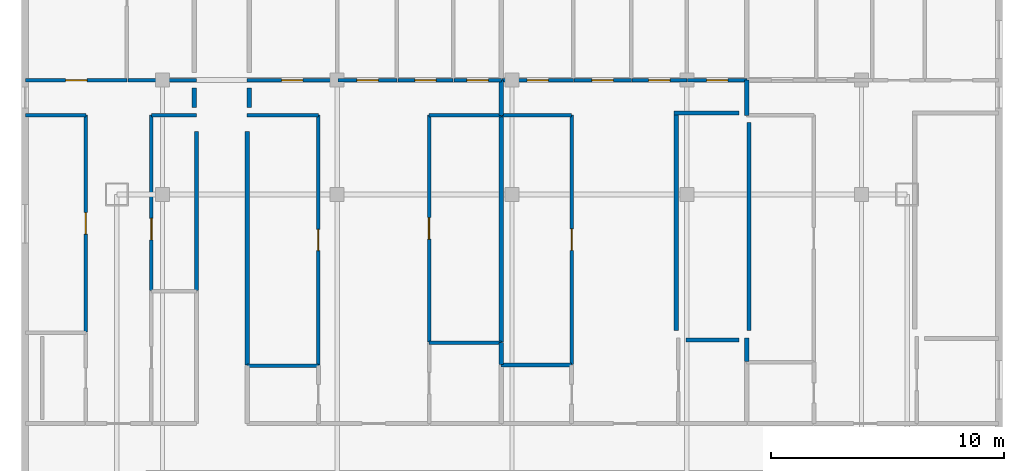
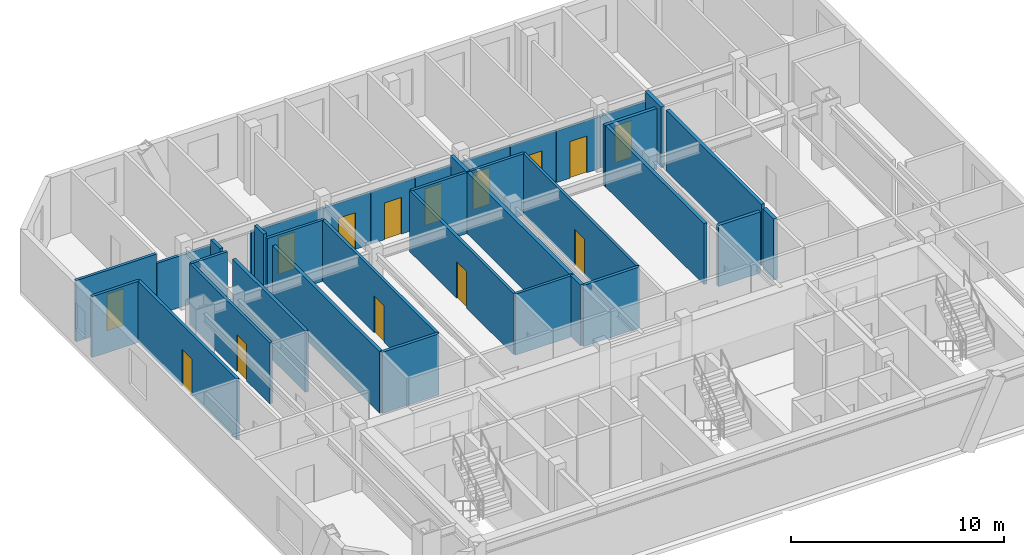
# One storey, part 4 of 7: 36 walls, 14 doors, 14 openings.
"""IFC4 building model written with IfcOpenShell, lengths in metres."""

from ifc_helpers import new_model, si_unit, direction, frame, frame_2d, origin, place, context, subcontext, project, spatial, rectangle, extrude, material, layer, layer_set, type_object, element, fill, save


model = new_model("IFC4")

# Units and contexts
model_context = context("Model", 3, precision=1e-05, world=origin(), true_north=direction((0.0, 1.0)))
body_context = subcontext(model_context, "Body", "Model", "MODEL_VIEW")
ifc_project = project(units=[si_unit("LENGTHUNIT", "METRE"), si_unit("AREAUNIT", "SQUARE_METRE"), si_unit("VOLUMEUNIT", "CUBIC_METRE"), si_unit("PLANEANGLEUNIT", "RADIAN"), si_unit("MASSUNIT", "GRAM", prefix="KILO")], contexts=[model_context])

# Site, building, storey
site_placement = place(None, origin())
site = spatial("IfcSite", under=ifc_project, at=site_placement, CompositionType="ELEMENT")
building_placement = place(site_placement, origin())
building = spatial("IfcBuilding", under=site, at=building_placement, Name="Ventersveld Concourse Tower", CompositionType="ELEMENT")
storey_placement = place(building_placement, frame((0.0, 0.0, 242.64990234375)))
storey = spatial("IfcBuildingStorey", under=building, at=storey_placement, Name="L60", CompositionType="ELEMENT", Elevation=242.64990234375)

# Walls
ifc_material_1 = material(Name="Fire-rated autoclaved aerated masonry blockwork", Category="masonry")
ifc_layer_1 = layer(ifc_material_1, 0.179931640625)
ifc_layer_set_1 = layer_set([ifc_layer_1], Name="Fire-rated autoclaved aerated masonry blockwork")
wall_type_1 = type_object("IfcWallType", Name="WL-CORR-180", PredefinedType="PARTITIONING", material=ifc_layer_set_1)
wall_1_placement = place(storey_placement, frame((15.2099609375, 19.47509765625, 0.0), z_axis=(0.0, 0.0, 1.0), x_axis=(0.0, 1.0, 0.0)))
element("IfcWall", 1, at=wall_1_placement, inside=storey, type_object=wall_type_1, Name="L60 Interior Partition SP-L60-COR-SP-L60-60NW-MEDR1", PredefinedType="PARTITIONING", context=body_context, shape_type="SweptSolid", body=[
    extrude(rectangle(XDim=6.81982421875, YDim=0.179931640625, at=frame_2d((3.409912109375, 0.0))), origin(), (0.0, 0.0, 1.0), 3.5),
])
wall_2_placement = place(storey_placement, frame((17.389892578125, 16.283447265625, 0.0), z_axis=(0.0, 0.0, 1.0), x_axis=(0.0, 1.0, 0.0)))
element("IfcWall", 2, at=wall_2_placement, inside=storey, type_object=wall_type_1, Name="L60 Interior Partition SP-L60-COR-SP-L60-60N1-OFFL0", PredefinedType="PARTITIONING", context=body_context, shape_type="SweptSolid", body=[
    extrude(rectangle(XDim=10.011474609375, YDim=0.179931640625, at=frame_2d((5.005859375, 0.0))), origin(), (0.0, 0.0, 1.0), 3.5),
])
for number, where, z_axis, x_axis, name in (
    (3, (15.1201171875, 28.175048828125, 0.0), (0.0, 0.0, 1.0), (0.0, -1.0, 0.0), "L60 Room Enclosure Wall SP-L60-60NW-LIV"),
    (4, (17.47998046875, 27.324951171875, 0.0), (0.0, 0.0, 1.0), (0.0, 1.0, 0.0), "L60 Room Enclosure Wall SP-L60-60N1-LIV"),
):
    element("IfcWall", number, at=place(storey_placement, frame(where, z_axis=z_axis, x_axis=x_axis)), inside=storey, type_object=wall_type_1, Name=name, PredefinedType="PARTITIONING", context=body_context, shape_type="SweptSolid", body=[
        extrude(rectangle(XDim=0.85009765625, YDim=0.179931640625, at=frame_2d((0.425048828125, 0.0))), origin(), (0.0, 0.0, 1.0), 3.5),
    ])
wall_3_placement = place(storey_placement, frame((38.49853515625, 27.090087890625, 0.0), z_axis=(0.0, 0.0, 1.0), x_axis=(-1.0, 0.0, 0.0)))
element("IfcWall", 5, at=wall_3_placement, inside=storey, type_object=wall_type_1, Name="L60 Room Enclosure Wall SP-L60-60N2-LIV", PredefinedType="PARTITIONING", context=body_context, shape_type="SweptSolid", body=[
    extrude(rectangle(XDim=2.792724609375, YDim=0.179931640625, at=frame_2d((1.396484375, 0.0))), origin(), (0.0, 0.0, 1.0), 3.5),
])
wall_4_placement = place(storey_placement, frame((35.80078125, 27.18505859375, 0.0), z_axis=(0.0, 0.0, 1.0), x_axis=(0.0, -1.0, 0.0)))
element("IfcWall", 6, at=wall_4_placement, inside=storey, type_object=wall_type_1, Name="L60 Room Enclosure Wall SP-L60-60N2-LIV", PredefinedType="PARTITIONING", context=body_context, shape_type="SweptSolid", body=[
    extrude(rectangle(XDim=9.427978515625, YDim=0.179931640625, at=frame_2d((4.7138671875, 0.0))), origin(), (0.0, 0.0, 1.0), 3.5),
])
wall_5_placement = place(storey_placement, frame((36.2158203125, 17.34716796875, 0.0), z_axis=(0.0, 0.0, 1.0), x_axis=(1.0, 0.0, 0.0)))
element("IfcWall", 7, at=wall_5_placement, inside=storey, type_object=wall_type_1, Name="L60 Room Enclosure Wall SP-L60-60N2-KIT", PredefinedType="PARTITIONING", context=body_context, shape_type="SweptSolid", body=[
    extrude(rectangle(XDim=2.28271484375, YDim=0.179931640625, at=frame_2d((1.141357421875, 0.0))), origin(), (0.0, 0.0, 1.0), 3.5),
])
wall_6_placement = place(storey_placement, frame((38.91357421875, 17.757080078125, 0.0), z_axis=(0.0, 0.0, 1.0), x_axis=(0.0, 1.0, 0.0)))
element("IfcWall", 8, at=wall_6_placement, inside=storey, type_object=wall_type_1, Name="L60 Room Enclosure Wall SP-L60-60N3-OFFL0", PredefinedType="PARTITIONING", context=body_context, shape_type="SweptSolid", body=[
    extrude(rectangle(XDim=8.91796875, YDim=0.179931640625, at=frame_2d((4.458984375, 0.0))), origin(), (0.0, 0.0, 1.0), 3.5),
])
ifc_layer_2 = layer(ifc_material_1, 0.199951171875)
ifc_layer_set_2 = layer_set([ifc_layer_2], Name="Fire-rated autoclaved aerated masonry blockwork")
wall_type_2 = type_object("IfcWallType", Name="WL-DEMISE-200", PredefinedType="PARTITIONING", material=ifc_layer_set_2)
wall_7_placement = place(storey_placement, frame((28.2880859375, 26.9951171875, 0.0), z_axis=(0.0, 0.0, 1.0), x_axis=(0.0, 1.0, 0.0)))
element("IfcWall", 9, at=wall_7_placement, inside=storey, type_object=wall_type_2, Name="L60 Interior Partition SP-L60-60N1-LIV-SP-L60-60N2-LIV", PredefinedType="PARTITIONING", context=body_context, shape_type="SweptSolid", body=[
    extrude(rectangle(XDim=1.509765625, YDim=0.199951171875, at=frame_2d((0.7548828125, 0.0))), origin(), (0.0, 0.0, 1.0), 3.5),
])
wall_8_placement = place(storey_placement, frame((28.2880859375, 16.309814453125, 0.0), z_axis=(0.0, 0.0, 1.0), x_axis=(0.0, 1.0, 0.0)))
element("IfcWall", 10, at=wall_8_placement, inside=storey, type_object=wall_type_2, Name="L60 Interior Partition SP-L60-60N1-KIT-SP-L60-60N2-OFFL0", PredefinedType="PARTITIONING", context=body_context, shape_type="SweptSolid", body=[
    extrude(rectangle(XDim=0.937255859375, YDim=0.199951171875, at=frame_2d((0.46875, 0.0))), origin(), (0.0, 0.0, 1.0), 3.5),
])
wall_9_placement = place(storey_placement, frame((28.2880859375, 17.277099609375, 0.0), z_axis=(0.0, 0.0, 1.0), x_axis=(0.0, 1.0, 0.0)))
element("IfcWall", 11, at=wall_9_placement, inside=storey, type_object=wall_type_2, Name="L60 Interior Partition SP-L60-60N1-DENR-SP-L60-60N2-OFFL0", PredefinedType="PARTITIONING", context=body_context, shape_type="SweptSolid", body=[
    extrude(rectangle(XDim=9.68798828125, YDim=0.199951171875, at=frame_2d((4.843994140625, 0.0))), origin(), (0.0, 0.0, 1.0), 3.5),
])
wall_10_placement = place(storey_placement, frame((38.823486328125, 26.9951171875, 0.0), z_axis=(0.0, 0.0, 1.0), x_axis=(0.0, 1.0, 0.0)))
element("IfcWall", 12, at=wall_10_placement, inside=storey, type_object=wall_type_2, Name="L60 Interior Partition SP-L60-60N2-LIV-SP-L60-60N3-LIV", PredefinedType="PARTITIONING", context=body_context, shape_type="SweptSolid", body=[
    extrude(rectangle(XDim=1.509765625, YDim=0.199951171875, at=frame_2d((0.7548828125, 0.0))), origin(), (0.0, 0.0, 1.0), 3.5),
])
wall_11_placement = place(storey_placement, frame((38.823486328125, 16.43115234375, 0.0), z_axis=(0.0, 0.0, 1.0), x_axis=(0.0, 1.0, 0.0)))
element("IfcWall", 13, at=wall_11_placement, inside=storey, type_object=wall_type_2, Name="L60 Interior Partition SP-L60-60N2-KIT-SP-L60-60N3-OFFL0", PredefinedType="PARTITIONING", context=body_context, shape_type="SweptSolid", body=[
    extrude(rectangle(XDim=1.010986328125, YDim=0.199951171875, at=frame_2d((0.50537109375, 0.0))), origin(), (0.0, 0.0, 1.0), 3.5),
])

# Wall, opening, door
ifc_material_2 = material(Name="Autoclaved aerated masonry blockwork", Category="masonry")
ifc_layer_3 = layer(ifc_material_2, 0.14990234375)
ifc_layer_set_3 = layer_set([ifc_layer_3], Name="Autoclaved aerated masonry blockwork")
wall_type_3 = type_object("IfcWallType", Name="WL-INT-150", PredefinedType="PARTITIONING", material=ifc_layer_set_3)
wall_12_placement = place(storey_placement, frame((10.458984375, 17.70166015625, 0.0), z_axis=(0.0, 0.0, 1.0), x_axis=(0.0, 1.0, 0.0)))
wall_12 = element("IfcWall", 14, at=wall_12_placement, inside=storey, type_object=wall_type_3, Name="L60 Interior Partition SP-L60-60NW-LIV-SP-L60-60NW-OFFL0", PredefinedType="PARTITIONING", context=body_context, shape_type="SweptSolid", body=[
    extrude(rectangle(XDim=9.30322265625, YDim=0.14990234375, at=frame_2d((4.651611328125, 0.0))), origin(), (0.0, 0.0, 1.0), 3.5),
])
opening_1_placement = place(wall_12_placement, frame((4.191650390625, 0.0, 0.0)))
opening_1 = element("IfcOpeningElement", 15, at=opening_1_placement, cuts=wall_12, Name="Opening ID1", PredefinedType="OPENING", context=body_context, shape_type="SweptSolid", body=[
    extrude(rectangle(XDim=0.919921875, YDim=2.10009765625, at=frame_2d((0.4599609375, 1.050048828125))), frame((0.0, 0.0849609375, 0.0), z_axis=(0.0, -1.0, 0.0), x_axis=(1.0, 0.0, 0.0)), (0.0, 0.0, 1.0), 0.169921875),
])
ifc_material_3 = material(Name="Solid-core hardwood veneer timber", Category="wood")
door_type = type_object("IfcDoorType", Name="DR-ROOM-092", OperationType="NOTDEFINED", PredefinedType="DOOR", material=ifc_material_3)
door_1_placement = place(opening_1_placement, origin())
door_1 = element("IfcDoor", 16, at=door_1_placement, inside=storey, type_object=door_type, Name="L60 Interior Door SP-L60-60NW-LIV to SP-L60-60NW-OFFL0 (D-L60-2882)", OperationType="SINGLE_SWING_RIGHT", OverallHeight=2.10009765625, OverallWidth=0.919921875, PredefinedType="DOOR", context=body_context, shape_type="SweptSolid", body=[
    extrude(rectangle(XDim=0.919921875, YDim=2.10009765625, at=frame_2d((0.4599609375, 1.050048828125))), frame((0.0, 0.02490234375, 0.0), z_axis=(0.0, -1.0, 0.0), x_axis=(1.0, 0.0, 0.0)), (0.0, 0.0, 1.0), 0.050048828125),
])
fill(opening_1, door_1)

# Wall
wall_13_placement = place(storey_placement, frame((7.8857421875, 27.0, 0.0), z_axis=(0.0, 0.0, 1.0), x_axis=(1.0, 0.0, 0.0)))
element("IfcWall", 17, at=wall_13_placement, inside=storey, type_object=wall_type_3, Name="L60 Interior Partition SP-L60-60NW-LIV-SP-L60-60NW-OFFL0", PredefinedType="PARTITIONING", context=body_context, shape_type="SweptSolid", body=[
    extrude(rectangle(XDim=2.578369140625, YDim=0.14990234375, at=frame_2d((1.2890625, 0.0))), origin(), (0.0, 0.0, 1.0), 3.5),
])

# Wall, opening, door
wall_14_placement = place(storey_placement, frame((13.281494140625, 19.47509765625, 0.0), z_axis=(0.0, 0.0, 1.0), x_axis=(0.0, 1.0, 0.0)))
wall_14 = element("IfcWall", 18, at=wall_14_placement, inside=storey, type_object=wall_type_3, Name="L60 Interior Partition SP-L60-60NW-LIV-SP-L60-60NW-MEDR1", PredefinedType="PARTITIONING", context=body_context, shape_type="SweptSolid", body=[
    extrude(rectangle(XDim=7.52978515625, YDim=0.14990234375, at=frame_2d((3.764892578125, 0.0))), origin(), (0.0, 0.0, 1.0), 3.5),
])
opening_2_placement = place(wall_14_placement, frame((2.175537109375, 0.0, 0.0)))
opening_2 = element("IfcOpeningElement", 19, at=opening_2_placement, cuts=wall_14, Name="Opening ID1", PredefinedType="OPENING", context=body_context, shape_type="SweptSolid", body=[
    extrude(rectangle(XDim=0.919921875, YDim=2.10009765625, at=frame_2d((0.4599609375, 1.050048828125))), frame((0.0, 0.0849609375, 0.0), z_axis=(0.0, -1.0, 0.0), x_axis=(1.0, 0.0, 0.0)), (0.0, 0.0, 1.0), 0.169921875),
])
door_2_placement = place(opening_2_placement, origin())
door_2 = element("IfcDoor", 20, at=door_2_placement, inside=storey, type_object=door_type, Name="L60 Interior Door SP-L60-60NW-LIV to SP-L60-60NW-MEDR1 (D-L60-2884)", OperationType="SINGLE_SWING_RIGHT", OverallHeight=2.10009765625, OverallWidth=0.919921875, PredefinedType="DOOR", context=body_context, shape_type="SweptSolid", body=[
    extrude(rectangle(XDim=0.919921875, YDim=2.10009765625, at=frame_2d((0.4599609375, 1.050048828125))), frame((0.0, 0.02490234375, 0.0), z_axis=(0.0, -1.0, 0.0), x_axis=(1.0, 0.0, 0.0)), (0.0, 0.0, 1.0), 0.050048828125),
])
fill(opening_2, door_2)

# Wall
wall_15_placement = place(storey_placement, frame((13.2763671875, 27.0, 0.0), z_axis=(0.0, 0.0, 1.0), x_axis=(1.0, 0.0, 0.0)))
element("IfcWall", 21, at=wall_15_placement, inside=storey, type_object=wall_type_3, Name="L60 Interior Partition SP-L60-60NW-LIV-SP-L60-60NW-MEDR1", PredefinedType="PARTITIONING", context=body_context, shape_type="SweptSolid", body=[
    extrude(rectangle(XDim=1.938720703125, YDim=0.14990234375, at=frame_2d((0.96923828125, 0.0))), origin(), (0.0, 0.0, 1.0), 3.5),
])

# Wall, opening, door
wall_16_placement = place(storey_placement, frame((7.8857421875, 28.5, 0.0), z_axis=(0.0, 0.0, 1.0), x_axis=(1.0, 0.0, 0.0)))
wall_16 = element("IfcWall", 22, at=wall_16_placement, inside=storey, type_object=wall_type_3, Name="L60 Interior Partition SP-L60-60NW-LIV-SP-L60-60NW-BR1", PredefinedType="PARTITIONING", context=body_context, shape_type="SweptSolid", body=[
    extrude(rectangle(XDim=4.349365234375, YDim=0.14990234375, at=frame_2d((2.1748046875, 0.0))), origin(), (0.0, 0.0, 1.0), 3.5),
])
opening_3_placement = place(wall_16_placement, frame((1.714599609375, 0.0, 0.0)))
opening_3 = element("IfcOpeningElement", 23, at=opening_3_placement, cuts=wall_16, Name="Opening ID1", PredefinedType="OPENING", context=body_context, shape_type="SweptSolid", body=[
    extrude(rectangle(XDim=0.919921875, YDim=2.10009765625, at=frame_2d((0.4599609375, 1.050048828125))), frame((0.0, 0.0849609375, 0.0), z_axis=(0.0, -1.0, 0.0), x_axis=(1.0, 0.0, 0.0)), (0.0, 0.0, 1.0), 0.169921875),
])
door_3_placement = place(opening_3_placement, origin())
door_3 = element("IfcDoor", 24, at=door_3_placement, inside=storey, type_object=door_type, Name="L60 Interior Door SP-L60-60NW-LIV to SP-L60-60NW-BR1 (D-L60-2885)", OperationType="SINGLE_SWING_LEFT", OverallHeight=2.10009765625, OverallWidth=0.919921875, PredefinedType="DOOR", context=body_context, shape_type="SweptSolid", body=[
    extrude(rectangle(XDim=0.919921875, YDim=2.10009765625, at=frame_2d((0.4599609375, 1.050048828125))), frame((0.0, 0.02490234375, 0.0), z_axis=(0.0, -1.0, 0.0), x_axis=(1.0, 0.0, 0.0)), (0.0, 0.0, 1.0), 0.050048828125),
])
fill(opening_3, door_3)

# Wall
wall_17_placement = place(storey_placement, frame((12.264892578125, 28.5, 0.0), z_axis=(0.0, 0.0, 1.0), x_axis=(1.0, 0.0, 0.0)))
element("IfcWall", 25, at=wall_17_placement, inside=storey, type_object=wall_type_3, Name="L60 Interior Partition SP-L60-60NW-LIV-SP-L60-60NW-BR2", PredefinedType="PARTITIONING", context=body_context, shape_type="SweptSolid", body=[
    extrude(rectangle(XDim=2.9501953125, YDim=0.14990234375, at=frame_2d((1.47509765625, 0.0))), origin(), (0.0, 0.0, 1.0), 2.95556640625),
])

# Wall, opening, door
wall_18_placement = place(storey_placement, frame((20.441650390625, 16.283447265625, 0.0), z_axis=(0.0, 0.0, 1.0), x_axis=(0.0, 1.0, 0.0)))
wall_18 = element("IfcWall", 26, at=wall_18_placement, inside=storey, type_object=wall_type_3, Name="L60 Interior Partition SP-L60-60N1-LIV-SP-L60-60N1-OFFL0", PredefinedType="PARTITIONING", context=body_context, shape_type="SweptSolid", body=[
    extrude(rectangle(XDim=10.721435546875, YDim=0.14990234375, at=frame_2d((5.36083984375, 0.0))), origin(), (0.0, 0.0, 1.0), 3.5),
])
opening_4_placement = place(wall_18_placement, frame((4.90087890625, 0.0, 0.0)))
opening_4 = element("IfcOpeningElement", 27, at=opening_4_placement, cuts=wall_18, Name="Opening ID1", PredefinedType="OPENING", context=body_context, shape_type="SweptSolid", body=[
    extrude(rectangle(XDim=0.919921875, YDim=2.10009765625, at=frame_2d((0.4599609375, 1.050048828125))), frame((0.0, 0.0849609375, 0.0), z_axis=(0.0, -1.0, 0.0), x_axis=(1.0, 0.0, 0.0)), (0.0, 0.0, 1.0), 0.169921875),
])
door_4_placement = place(opening_4_placement, origin())
door_4 = element("IfcDoor", 28, at=door_4_placement, inside=storey, type_object=door_type, Name="L60 Interior Door SP-L60-60N1-LIV to SP-L60-60N1-OFFL0 (D-L60-2888)", OperationType="SINGLE_SWING_RIGHT", OverallHeight=2.10009765625, OverallWidth=0.919921875, PredefinedType="DOOR", context=body_context, shape_type="SweptSolid", body=[
    extrude(rectangle(XDim=0.919921875, YDim=2.10009765625, at=frame_2d((0.4599609375, 1.050048828125))), frame((0.0, 0.02490234375, 0.0), z_axis=(0.0, -1.0, 0.0), x_axis=(1.0, 0.0, 0.0)), (0.0, 0.0, 1.0), 0.050048828125),
])
fill(opening_4, door_4)

# Wall
wall_19_placement = place(storey_placement, frame((17.385009765625, 27.0, 0.0), z_axis=(0.0, 0.0, 1.0), x_axis=(1.0, 0.0, 0.0)))
element("IfcWall", 29, at=wall_19_placement, inside=storey, type_object=wall_type_3, Name="L60 Interior Partition SP-L60-60N1-LIV-SP-L60-60N1-OFFL0", PredefinedType="PARTITIONING", context=body_context, shape_type="SweptSolid", body=[
    extrude(rectangle(XDim=3.0615234375, YDim=0.14990234375, at=frame_2d((1.53076171875, 0.0))), origin(), (0.0, 0.0, 1.0), 3.5),
])

# Wall, opening, door
wall_20_placement = place(storey_placement, frame((25.19189453125, 17.277099609375, 0.0), z_axis=(0.0, 0.0, 1.0), x_axis=(0.0, 1.0, 0.0)))
wall_20 = element("IfcWall", 30, at=wall_20_placement, inside=storey, type_object=wall_type_3, Name="L60 Interior Partition SP-L60-60N1-LIV-SP-L60-60N1-DENR", PredefinedType="PARTITIONING", context=body_context, shape_type="SweptSolid", body=[
    extrude(rectangle(XDim=9.727783203125, YDim=0.14990234375, at=frame_2d((4.86376953125, 0.0))), origin(), (0.0, 0.0, 1.0), 3.5),
])
opening_5_placement = place(wall_20_placement, frame((4.40380859375, 0.0, 0.0)))
opening_5 = element("IfcOpeningElement", 31, at=opening_5_placement, cuts=wall_20, Name="Opening ID1", PredefinedType="OPENING", context=body_context, shape_type="SweptSolid", body=[
    extrude(rectangle(XDim=0.919921875, YDim=2.10009765625, at=frame_2d((0.4599609375, 1.050048828125))), frame((0.0, 0.0849609375, 0.0), z_axis=(0.0, -1.0, 0.0), x_axis=(1.0, 0.0, 0.0)), (0.0, 0.0, 1.0), 0.169921875),
])
door_5_placement = place(opening_5_placement, origin())
door_5 = element("IfcDoor", 32, at=door_5_placement, inside=storey, type_object=door_type, Name="L60 Interior Door SP-L60-60N1-LIV to SP-L60-60N1-DENR (D-L60-2890)", OperationType="SINGLE_SWING_RIGHT", OverallHeight=2.10009765625, OverallWidth=0.919921875, PredefinedType="DOOR", context=body_context, shape_type="SweptSolid", body=[
    extrude(rectangle(XDim=0.919921875, YDim=2.10009765625, at=frame_2d((0.4599609375, 1.050048828125))), frame((0.0, 0.02490234375, 0.0), z_axis=(0.0, -1.0, 0.0), x_axis=(1.0, 0.0, 0.0)), (0.0, 0.0, 1.0), 0.050048828125),
])
fill(opening_5, door_5)

# Wall
wall_21_placement = place(storey_placement, frame((25.18701171875, 27.0, 0.0), z_axis=(0.0, 0.0, 1.0), x_axis=(1.0, 0.0, 0.0)))
element("IfcWall", 33, at=wall_21_placement, inside=storey, type_object=wall_type_3, Name="L60 Interior Partition SP-L60-60N1-LIV-SP-L60-60N1-DENR", PredefinedType="PARTITIONING", context=body_context, shape_type="SweptSolid", body=[
    extrude(rectangle(XDim=3.10595703125, YDim=0.14990234375, at=frame_2d((1.552978515625, 0.0))), origin(), (0.0, 0.0, 1.0), 3.5),
])

# Wall, opening, door
wall_22_placement = place(storey_placement, frame((17.385009765625, 28.5, 0.0), z_axis=(0.0, 0.0, 1.0), x_axis=(1.0, 0.0, 0.0)))
wall_22 = element("IfcWall", 34, at=wall_22_placement, inside=storey, type_object=wall_type_3, Name="L60 Interior Partition SP-L60-60N1-LIV-SP-L60-60N1-BR1", PredefinedType="PARTITIONING", context=body_context, shape_type="SweptSolid", body=[
    extrude(rectangle(XDim=3.869873046875, YDim=0.14990234375, at=frame_2d((1.93505859375, 0.0))), origin(), (0.0, 0.0, 1.0), 2.95556640625),
])
opening_6_placement = place(wall_22_placement, frame((1.47509765625, 0.0, 0.0)))
opening_6 = element("IfcOpeningElement", 35, at=opening_6_placement, cuts=wall_22, Name="Opening ID1", PredefinedType="OPENING", context=body_context, shape_type="SweptSolid", body=[
    extrude(rectangle(XDim=0.919921875, YDim=2.10009765625, at=frame_2d((0.4599609375, 1.050048828125))), frame((0.0, 0.0849609375, 0.0), z_axis=(0.0, -1.0, 0.0), x_axis=(1.0, 0.0, 0.0)), (0.0, 0.0, 1.0), 0.169921875),
])
door_6_placement = place(opening_6_placement, origin())
door_6 = element("IfcDoor", 36, at=door_6_placement, inside=storey, type_object=door_type, Name="L60 Interior Door SP-L60-60N1-LIV to SP-L60-60N1-BR1 (D-L60-2891)", OperationType="SINGLE_SWING_LEFT", OverallHeight=2.10009765625, OverallWidth=0.919921875, PredefinedType="DOOR", context=body_context, shape_type="SweptSolid", body=[
    extrude(rectangle(XDim=0.919921875, YDim=2.10009765625, at=frame_2d((0.4599609375, 1.050048828125))), frame((0.0, 0.02490234375, 0.0), z_axis=(0.0, -1.0, 0.0), x_axis=(1.0, 0.0, 0.0)), (0.0, 0.0, 1.0), 0.050048828125),
])
fill(opening_6, door_6)

wall_23_placement = place(storey_placement, frame((21.284912109375, 28.5, 0.0), z_axis=(0.0, 0.0, 1.0), x_axis=(1.0, 0.0, 0.0)))
wall_23 = element("IfcWall", 37, at=wall_23_placement, inside=storey, type_object=wall_type_3, Name="L60 Interior Partition SP-L60-60N1-LIV-SP-L60-60N1-BR2", PredefinedType="PARTITIONING", context=body_context, shape_type="SweptSolid", body=[
    extrude(rectangle(XDim=2.53564453125, YDim=0.14990234375, at=frame_2d((1.267822265625, 0.0))), origin(), (0.0, 0.0, 1.0), 2.95556640625),
])
opening_7_placement = place(wall_23_placement, frame((0.8076171875, 0.0, 0.0)))
opening_7 = element("IfcOpeningElement", 38, at=opening_7_placement, cuts=wall_23, Name="Opening ID1", PredefinedType="OPENING", context=body_context, shape_type="SweptSolid", body=[
    extrude(rectangle(XDim=0.919921875, YDim=2.10009765625, at=frame_2d((0.4599609375, 1.050048828125))), frame((0.0, 0.0849609375, 0.0), z_axis=(0.0, -1.0, 0.0), x_axis=(1.0, 0.0, 0.0)), (0.0, 0.0, 1.0), 0.169921875),
])
door_7_placement = place(opening_7_placement, origin())
door_7 = element("IfcDoor", 39, at=door_7_placement, inside=storey, type_object=door_type, Name="L60 Interior Door SP-L60-60N1-LIV to SP-L60-60N1-BR2 (D-L60-2892)", OperationType="SINGLE_SWING_RIGHT", OverallHeight=2.10009765625, OverallWidth=0.919921875, PredefinedType="DOOR", context=body_context, shape_type="SweptSolid", body=[
    extrude(rectangle(XDim=0.919921875, YDim=2.10009765625, at=frame_2d((0.4599609375, 1.050048828125))), frame((0.0, 0.02490234375, 0.0), z_axis=(0.0, -1.0, 0.0), x_axis=(1.0, 0.0, 0.0)), (0.0, 0.0, 1.0), 0.050048828125),
])
fill(opening_7, door_7)

wall_24_placement = place(storey_placement, frame((23.8505859375, 28.5, 0.0), z_axis=(0.0, 0.0, 1.0), x_axis=(1.0, 0.0, 0.0)))
wall_24 = element("IfcWall", 40, at=wall_24_placement, inside=storey, type_object=wall_type_3, Name="L60 Interior Partition SP-L60-60N1-LIV-SP-L60-60N1-BR3", PredefinedType="PARTITIONING", context=body_context, shape_type="SweptSolid", body=[
    extrude(rectangle(XDim=2.376220703125, YDim=0.14990234375, at=frame_2d((1.18798828125, 0.0))), origin(), (0.0, 0.0, 1.0), 2.95556640625),
])
opening_8_placement = place(wall_24_placement, frame((0.728271484375, 0.0, 0.0)))
opening_8 = element("IfcOpeningElement", 41, at=opening_8_placement, cuts=wall_24, Name="Opening ID1", PredefinedType="OPENING", context=body_context, shape_type="SweptSolid", body=[
    extrude(rectangle(XDim=0.919921875, YDim=2.10009765625, at=frame_2d((0.4599609375, 1.050048828125))), frame((0.0, 0.0849609375, 0.0), z_axis=(0.0, -1.0, 0.0), x_axis=(1.0, 0.0, 0.0)), (0.0, 0.0, 1.0), 0.169921875),
])
door_8_placement = place(opening_8_placement, origin())
door_8 = element("IfcDoor", 42, at=door_8_placement, inside=storey, type_object=door_type, Name="L60 Interior Door SP-L60-60N1-LIV to SP-L60-60N1-BR3 (D-L60-2893)", OperationType="SINGLE_SWING_LEFT", OverallHeight=2.10009765625, OverallWidth=0.919921875, PredefinedType="DOOR", context=body_context, shape_type="SweptSolid", body=[
    extrude(rectangle(XDim=0.919921875, YDim=2.10009765625, at=frame_2d((0.4599609375, 1.050048828125))), frame((0.0, 0.02490234375, 0.0), z_axis=(0.0, -1.0, 0.0), x_axis=(1.0, 0.0, 0.0)), (0.0, 0.0, 1.0), 0.050048828125),
])
fill(opening_8, door_8)

wall_25_placement = place(storey_placement, frame((26.2568359375, 28.5, 0.0), z_axis=(0.0, 0.0, 1.0), x_axis=(1.0, 0.0, 0.0)))
wall_25 = element("IfcWall", 43, at=wall_25_placement, inside=storey, type_object=wall_type_3, Name="L60 Interior Partition SP-L60-60N1-LIV-SP-L60-60N1-BR4", PredefinedType="PARTITIONING", context=body_context, shape_type="SweptSolid", body=[
    extrude(rectangle(XDim=2.0361328125, YDim=0.14990234375, at=frame_2d((1.01806640625, 0.0))), origin(), (0.0, 0.0, 1.0), 2.95556640625),
])
opening_9_placement = place(wall_25_placement, frame((0.55810546875, 0.0, 0.0)))
opening_9 = element("IfcOpeningElement", 44, at=opening_9_placement, cuts=wall_25, Name="Opening ID1", PredefinedType="OPENING", context=body_context, shape_type="SweptSolid", body=[
    extrude(rectangle(XDim=0.919921875, YDim=2.10009765625, at=frame_2d((0.4599609375, 1.050048828125))), frame((0.0, 0.0849609375, 0.0), z_axis=(0.0, -1.0, 0.0), x_axis=(1.0, 0.0, 0.0)), (0.0, 0.0, 1.0), 0.169921875),
])
door_9_placement = place(opening_9_placement, origin())
door_9 = element("IfcDoor", 45, at=door_9_placement, inside=storey, type_object=door_type, Name="L60 Interior Door SP-L60-60N1-LIV to SP-L60-60N1-BR4 (D-L60-2894)", OperationType="SINGLE_SWING_RIGHT", OverallHeight=2.10009765625, OverallWidth=0.919921875, PredefinedType="DOOR", context=body_context, shape_type="SweptSolid", body=[
    extrude(rectangle(XDim=0.919921875, YDim=2.10009765625, at=frame_2d((0.4599609375, 1.050048828125))), frame((0.0, 0.02490234375, 0.0), z_axis=(0.0, -1.0, 0.0), x_axis=(1.0, 0.0, 0.0)), (0.0, 0.0, 1.0), 0.050048828125),
])
fill(opening_9, door_9)

# Wall
wall_26_placement = place(storey_placement, frame((25.18701171875, 17.2421875, 0.0), z_axis=(0.0, 0.0, 1.0), x_axis=(1.0, 0.0, 0.0)))
element("IfcWall", 46, at=wall_26_placement, inside=storey, type_object=wall_type_3, Name="L60 Interior Partition SP-L60-60N1-KIT-SP-L60-60N1-DENR", PredefinedType="PARTITIONING", context=body_context, shape_type="SweptSolid", body=[
    extrude(rectangle(XDim=3.10595703125, YDim=0.14990234375, at=frame_2d((1.552978515625, 0.0))), origin(), (0.0, 0.0, 1.0), 3.5),
])

# Wall, opening, door
wall_27_placement = place(storey_placement, frame((31.30712890625, 16.309814453125, 0.0), z_axis=(0.0, 0.0, 1.0), x_axis=(0.0, 1.0, 0.0)))
wall_27 = element("IfcWall", 47, at=wall_27_placement, inside=storey, type_object=wall_type_3, Name="L60 Interior Partition SP-L60-60N2-LIV-SP-L60-60N2-OFFL0", PredefinedType="PARTITIONING", context=body_context, shape_type="SweptSolid", body=[
    extrude(rectangle(XDim=10.695068359375, YDim=0.14990234375, at=frame_2d((5.34765625, 0.0))), origin(), (0.0, 0.0, 1.0), 3.5),
])
opening_10_placement = place(wall_27_placement, frame((4.8876953125, 0.0, 0.0)))
opening_10 = element("IfcOpeningElement", 48, at=opening_10_placement, cuts=wall_27, Name="Opening ID1", PredefinedType="OPENING", context=body_context, shape_type="SweptSolid", body=[
    extrude(rectangle(XDim=0.919921875, YDim=2.10009765625, at=frame_2d((0.4599609375, 1.050048828125))), frame((0.0, 0.0849609375, 0.0), z_axis=(0.0, -1.0, 0.0), x_axis=(1.0, 0.0, 0.0)), (0.0, 0.0, 1.0), 0.169921875),
])
door_10_placement = place(opening_10_placement, origin())
door_10 = element("IfcDoor", 49, at=door_10_placement, inside=storey, type_object=door_type, Name="L60 Interior Door SP-L60-60N2-LIV to SP-L60-60N2-OFFL0 (D-L60-2896)", OperationType="SINGLE_SWING_RIGHT", OverallHeight=2.10009765625, OverallWidth=0.919921875, PredefinedType="DOOR", context=body_context, shape_type="SweptSolid", body=[
    extrude(rectangle(XDim=0.919921875, YDim=2.10009765625, at=frame_2d((0.4599609375, 1.050048828125))), frame((0.0, 0.02490234375, 0.0), z_axis=(0.0, -1.0, 0.0), x_axis=(1.0, 0.0, 0.0)), (0.0, 0.0, 1.0), 0.050048828125),
])
fill(opening_10, door_10)

# Wall
wall_28_placement = place(storey_placement, frame((28.322998046875, 27.0, 0.0), z_axis=(0.0, 0.0, 1.0), x_axis=(1.0, 0.0, 0.0)))
element("IfcWall", 50, at=wall_28_placement, inside=storey, type_object=wall_type_3, Name="L60 Interior Partition SP-L60-60N2-LIV-SP-L60-60N2-OFFL0", PredefinedType="PARTITIONING", context=body_context, shape_type="SweptSolid", body=[
    extrude(rectangle(XDim=2.989013671875, YDim=0.14990234375, at=frame_2d((1.49462890625, 0.0))), origin(), (0.0, 0.0, 1.0), 3.5),
])

# Wall, opening, door
wall_29_placement = place(storey_placement, frame((28.322998046875, 28.5, 0.0), z_axis=(0.0, 0.0, 1.0), x_axis=(1.0, 0.0, 0.0)))
wall_29 = element("IfcWall", 51, at=wall_29_placement, inside=storey, type_object=wall_type_3, Name="L60 Interior Partition SP-L60-60N2-LIV-SP-L60-60N2-BR1", PredefinedType="PARTITIONING", context=body_context, shape_type="SweptSolid", body=[
    extrude(rectangle(XDim=3.06396484375, YDim=0.14990234375, at=frame_2d((1.531982421875, 0.0))), origin(), (0.0, 0.0, 1.0), 2.95556640625),
])
opening_11_placement = place(wall_29_placement, frame((1.072021484375, 0.0, 0.0)))
opening_11 = element("IfcOpeningElement", 52, at=opening_11_placement, cuts=wall_29, Name="Opening ID1", PredefinedType="OPENING", context=body_context, shape_type="SweptSolid", body=[
    extrude(rectangle(XDim=0.919921875, YDim=2.10009765625, at=frame_2d((0.4599609375, 1.050048828125))), frame((0.0, 0.0849609375, 0.0), z_axis=(0.0, -1.0, 0.0), x_axis=(1.0, 0.0, 0.0)), (0.0, 0.0, 1.0), 0.169921875),
])
door_11_placement = place(opening_11_placement, origin())
door_11 = element("IfcDoor", 53, at=door_11_placement, inside=storey, type_object=door_type, Name="L60 Interior Door SP-L60-60N2-LIV to SP-L60-60N2-BR1 (D-L60-2898)", OperationType="SINGLE_SWING_RIGHT", OverallHeight=2.10009765625, OverallWidth=0.919921875, PredefinedType="DOOR", context=body_context, shape_type="SweptSolid", body=[
    extrude(rectangle(XDim=0.919921875, YDim=2.10009765625, at=frame_2d((0.4599609375, 1.050048828125))), frame((0.0, 0.02490234375, 0.0), z_axis=(0.0, -1.0, 0.0), x_axis=(1.0, 0.0, 0.0)), (0.0, 0.0, 1.0), 0.050048828125),
])
fill(opening_11, door_11)

wall_30_placement = place(storey_placement, frame((31.4169921875, 28.5, 0.0), z_axis=(0.0, 0.0, 1.0), x_axis=(1.0, 0.0, 0.0)))
wall_30 = element("IfcWall", 54, at=wall_30_placement, inside=storey, type_object=wall_type_3, Name="L60 Interior Partition SP-L60-60N2-LIV-SP-L60-60N2-BR2", PredefinedType="PARTITIONING", context=body_context, shape_type="SweptSolid", body=[
    extrude(rectangle(XDim=2.450439453125, YDim=0.14990234375, at=frame_2d((1.22509765625, 0.0))), origin(), (0.0, 0.0, 1.0), 2.95556640625),
])
opening_12_placement = place(wall_30_placement, frame((0.76513671875, 0.0, 0.0)))
opening_12 = element("IfcOpeningElement", 55, at=opening_12_placement, cuts=wall_30, Name="Opening ID1", PredefinedType="OPENING", context=body_context, shape_type="SweptSolid", body=[
    extrude(rectangle(XDim=0.919921875, YDim=2.10009765625, at=frame_2d((0.4599609375, 1.050048828125))), frame((0.0, 0.0849609375, 0.0), z_axis=(0.0, -1.0, 0.0), x_axis=(1.0, 0.0, 0.0)), (0.0, 0.0, 1.0), 0.169921875),
])
door_12_placement = place(opening_12_placement, origin())
door_12 = element("IfcDoor", 56, at=door_12_placement, inside=storey, type_object=door_type, Name="L60 Interior Door SP-L60-60N2-LIV to SP-L60-60N2-BR2 (D-L60-2899)", OperationType="SINGLE_SWING_LEFT", OverallHeight=2.10009765625, OverallWidth=0.919921875, PredefinedType="DOOR", context=body_context, shape_type="SweptSolid", body=[
    extrude(rectangle(XDim=0.919921875, YDim=2.10009765625, at=frame_2d((0.4599609375, 1.050048828125))), frame((0.0, 0.02490234375, 0.0), z_axis=(0.0, -1.0, 0.0), x_axis=(1.0, 0.0, 0.0)), (0.0, 0.0, 1.0), 0.050048828125),
])
fill(opening_12, door_12)

wall_31_placement = place(storey_placement, frame((33.8974609375, 28.5, 0.0), z_axis=(0.0, 0.0, 1.0), x_axis=(1.0, 0.0, 0.0)))
wall_31 = element("IfcWall", 57, at=wall_31_placement, inside=storey, type_object=wall_type_3, Name="L60 Interior Partition SP-L60-60N2-LIV-SP-L60-60N2-BR3", PredefinedType="PARTITIONING", context=body_context, shape_type="SweptSolid", body=[
    extrude(rectangle(XDim=2.357421875, YDim=0.14990234375, at=frame_2d((1.1787109375, 0.0))), origin(), (0.0, 0.0, 1.0), 2.95556640625),
])
opening_13_placement = place(wall_31_placement, frame((0.71875, 0.0, 0.0)))
opening_13 = element("IfcOpeningElement", 58, at=opening_13_placement, cuts=wall_31, Name="Opening ID1", PredefinedType="OPENING", context=body_context, shape_type="SweptSolid", body=[
    extrude(rectangle(XDim=0.919921875, YDim=2.10009765625, at=frame_2d((0.4599609375, 1.050048828125))), frame((0.0, 0.0849609375, 0.0), z_axis=(0.0, -1.0, 0.0), x_axis=(1.0, 0.0, 0.0)), (0.0, 0.0, 1.0), 0.169921875),
])
door_13_placement = place(opening_13_placement, origin())
door_13 = element("IfcDoor", 59, at=door_13_placement, inside=storey, type_object=door_type, Name="L60 Interior Door SP-L60-60N2-LIV to SP-L60-60N2-BR3 (D-L60-2900)", OperationType="SINGLE_SWING_RIGHT", OverallHeight=2.10009765625, OverallWidth=0.919921875, PredefinedType="DOOR", context=body_context, shape_type="SweptSolid", body=[
    extrude(rectangle(XDim=0.919921875, YDim=2.10009765625, at=frame_2d((0.4599609375, 1.050048828125))), frame((0.0, 0.02490234375, 0.0), z_axis=(0.0, -1.0, 0.0), x_axis=(1.0, 0.0, 0.0)), (0.0, 0.0, 1.0), 0.050048828125),
])
fill(opening_13, door_13)

wall_32_placement = place(storey_placement, frame((36.284912109375, 28.5, 0.0), z_axis=(0.0, 0.0, 1.0), x_axis=(1.0, 0.0, 0.0)))
wall_32 = element("IfcWall", 60, at=wall_32_placement, inside=storey, type_object=wall_type_3, Name="L60 Interior Partition SP-L60-60N2-LIV-SP-L60-60N2-BR4", PredefinedType="PARTITIONING", context=body_context, shape_type="SweptSolid", body=[
    extrude(rectangle(XDim=2.543701171875, YDim=0.14990234375, at=frame_2d((1.27197265625, 0.0))), origin(), (0.0, 0.0, 1.0), 2.95556640625),
])
opening_14_placement = place(wall_32_placement, frame((0.811767578125, 0.0, 0.0)))
opening_14 = element("IfcOpeningElement", 61, at=opening_14_placement, cuts=wall_32, Name="Opening ID1", PredefinedType="OPENING", context=body_context, shape_type="SweptSolid", body=[
    extrude(rectangle(XDim=0.919921875, YDim=2.10009765625, at=frame_2d((0.4599609375, 1.050048828125))), frame((0.0, 0.0849609375, 0.0), z_axis=(0.0, -1.0, 0.0), x_axis=(1.0, 0.0, 0.0)), (0.0, 0.0, 1.0), 0.169921875),
])
door_14_placement = place(opening_14_placement, origin())
door_14 = element("IfcDoor", 62, at=door_14_placement, inside=storey, type_object=door_type, Name="L60 Interior Door SP-L60-60N2-LIV to SP-L60-60N2-BR4 (D-L60-2901)", OperationType="SINGLE_SWING_LEFT", OverallHeight=2.10009765625, OverallWidth=0.919921875, PredefinedType="DOOR", context=body_context, shape_type="SweptSolid", body=[
    extrude(rectangle(XDim=0.919921875, YDim=2.10009765625, at=frame_2d((0.4599609375, 1.050048828125))), frame((0.0, 0.02490234375, 0.0), z_axis=(0.0, -1.0, 0.0), x_axis=(1.0, 0.0, 0.0)), (0.0, 0.0, 1.0), 0.050048828125),
])
fill(opening_14, door_14)

# Walls
ifc_layer_4 = layer(ifc_material_2, 0.1650390625)
ifc_layer_set_4 = layer_set([ifc_layer_4], Name="Autoclaved aerated masonry blockwork")
wall_type_4 = type_object("IfcWallType", Name="WL-WET-165", PredefinedType="PLUMBINGWALL", material=ifc_layer_set_4)
wall_33_placement = place(storey_placement, frame((17.385009765625, 16.248291015625, 0.0), z_axis=(0.0, 0.0, 1.0), x_axis=(1.0, 0.0, 0.0)))
element("IfcWall", 63, at=wall_33_placement, inside=storey, type_object=wall_type_4, Name="L60 Interior Partition SP-L60-60N1-BATH-SP-L60-60N1-OFFL0", PredefinedType="PLUMBINGWALL", context=body_context, shape_type="SweptSolid", body=[
    extrude(rectangle(XDim=3.0615234375, YDim=0.1650390625, at=frame_2d((1.53076171875, 0.0))), origin(), (0.0, 0.0, 1.0), 3.5),
])
wall_34_placement = place(storey_placement, frame((28.282958984375, 16.274658203125, 0.0), z_axis=(0.0, 0.0, 1.0), x_axis=(1.0, 0.0, 0.0)))
element("IfcWall", 64, at=wall_34_placement, inside=storey, type_object=wall_type_4, Name="L60 Interior Partition SP-L60-60N2-BATH-SP-L60-60N2-OFFL0", PredefinedType="PLUMBINGWALL", context=body_context, shape_type="SweptSolid", body=[
    extrude(rectangle(XDim=3.029052734375, YDim=0.1650390625, at=frame_2d((1.5146484375, 0.0))), origin(), (0.0, 0.0, 1.0), 3.5),
])

save(model, "model.ifc")
